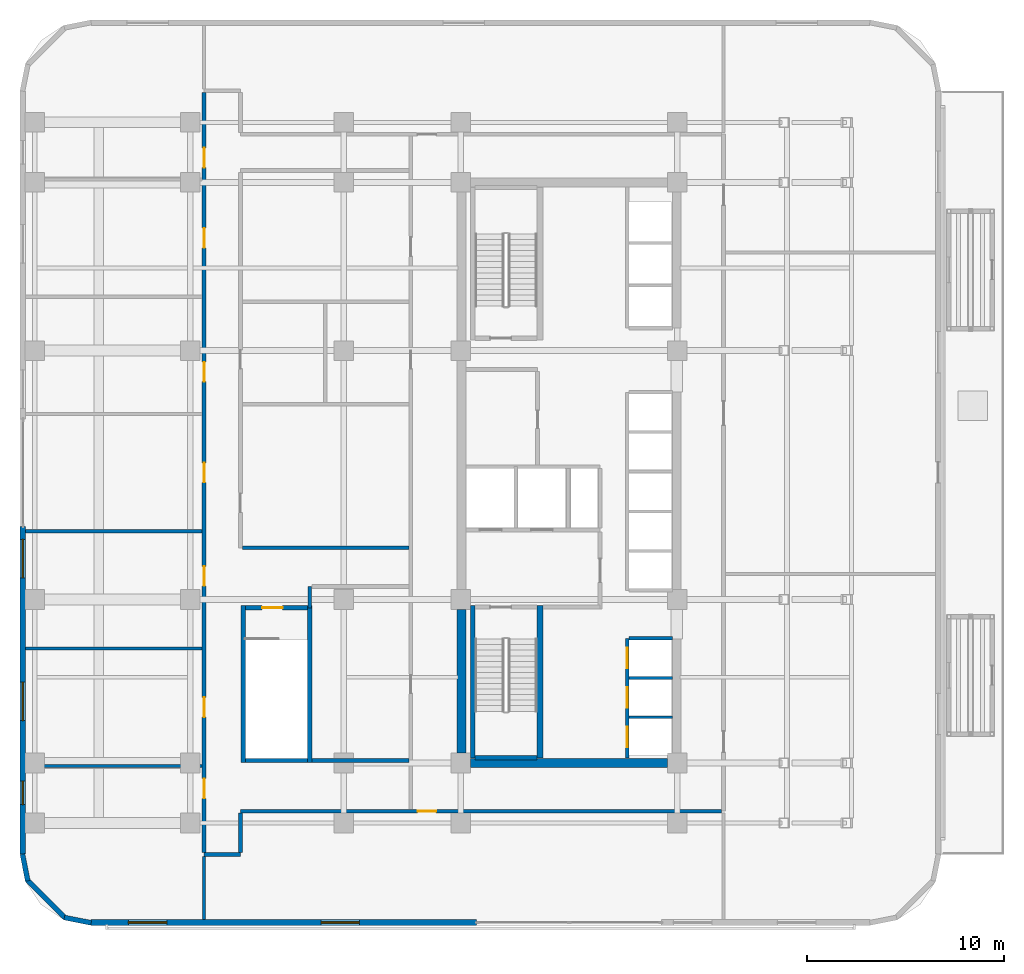
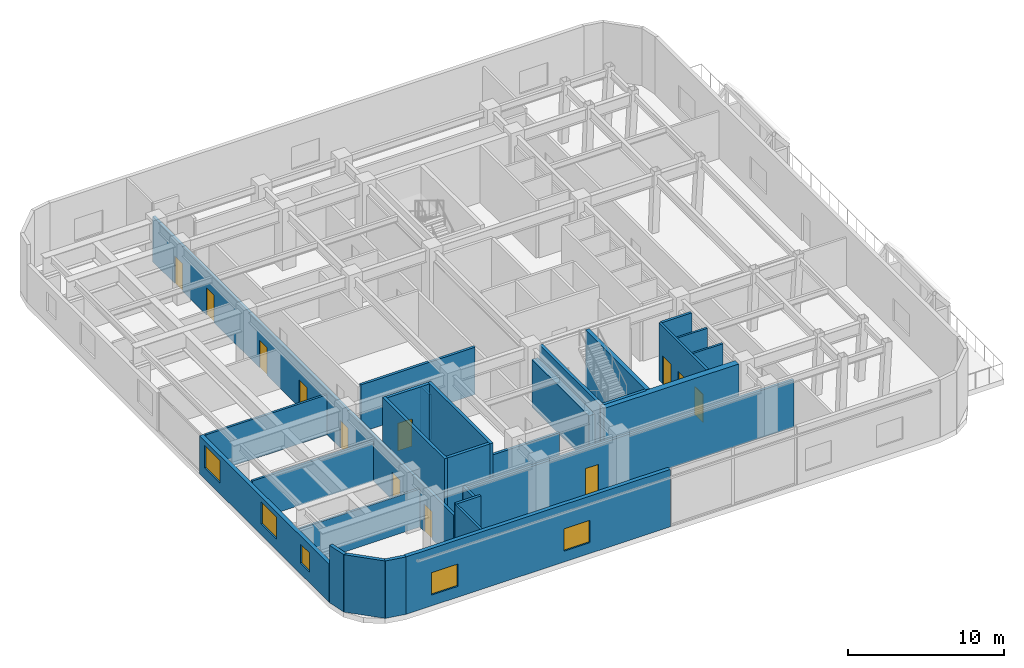
# One storey, part 10 of 18: 29 walls, 12 doors, 5 windows, 17 openings.
"""IFC4 building model written with IfcOpenShell, lengths in metres."""

from ifc_helpers import new_model, si_unit, direction, frame, frame_2d, origin, place, context, subcontext, project, spatial, rectangle, extrude, material, layer, layer_set, type_object, element, fill, save


model = new_model("IFC4")

# Units and contexts
model_context = context("Model", 3, precision=1e-05, world=origin(), true_north=direction((0.0, 1.0)))
body_context = subcontext(model_context, "Body", "Model", "MODEL_VIEW")
ifc_project = project(units=[si_unit("LENGTHUNIT", "METRE"), si_unit("AREAUNIT", "SQUARE_METRE"), si_unit("VOLUMEUNIT", "CUBIC_METRE"), si_unit("PLANEANGLEUNIT", "RADIAN"), si_unit("MASSUNIT", "GRAM", prefix="KILO")], contexts=[model_context])

# Site, building, storey
site_placement = place(None, origin())
site = spatial("IfcSite", under=ifc_project, at=site_placement, CompositionType="ELEMENT")
building_placement = place(site_placement, origin())
building = spatial("IfcBuilding", under=site, at=building_placement, Name="Ochreholt Gables", CompositionType="ELEMENT")
storey_placement = place(building_placement, frame((0.0, 0.0, 19.199951171875)))
storey = spatial("IfcBuildingStorey", under=building, at=storey_placement, Name="L04", CompositionType="ELEMENT", Elevation=19.199951171875)

# Walls
ifc_material_1 = material(Name="Concrete 60 MPa", Category="concrete")
ifc_layer_1 = layer(ifc_material_1, 0.449951171875, Name="Concrete 60 MPa")
ifc_layer_set_1 = layer_set([ifc_layer_1], Name="Concrete 60 MPa")
wall_type_1 = type_object("IfcWallType", Name="WALL-CSW-450", PredefinedType="SHEAR", material=ifc_layer_set_1)
wall_1_placement = place(storey_placement, frame((24.22509765625, 9.75, 0.0), z_axis=(0.0, 0.0, 1.0), x_axis=(0.0, 1.0, 0.0)))
element("IfcWall", 1, at=wall_1_placement, inside=storey, type_object=wall_type_1, Name="L04 Core West Shear Wall WS", PredefinedType="SHEAR", context=body_context, shape_type="SweptSolid", body=[
    extrude(rectangle(XDim=7.300048828125, YDim=0.449951171875, at=frame_2d((3.64990234375, 0.0))), origin(), (0.0, 0.0, 1.0), 3.72998046875),
])
wall_2_placement = place(storey_placement, frame((24.699951171875, 9.25, 0.0), z_axis=(0.0, 0.0, 1.0), x_axis=(1.0, 0.0, 0.0)))
element("IfcWall", 2, at=wall_2_placement, inside=storey, type_object=wall_type_1, Name="L04 Core South Shear Wall", PredefinedType="SHEAR", context=body_context, shape_type="SweptSolid", body=[
    extrude(rectangle(XDim=10.0, YDim=0.449951171875, at=frame_2d((5.0, 0.0))), origin(), (0.0, 0.0, 1.0), 4.5),
])

# Wall, openings, windows
ifc_material_2 = material(Name="Precast concrete 40 MPa", Category="concrete")
ifc_layer_2 = layer(ifc_material_2, 0.2900390625, Name="Precast concrete 40 MPa")
ifc_layer_set_2 = layer_set([ifc_layer_2], Name="Precast concrete 40 MPa")
wall_type_2 = type_object("IfcWallType", Name="WALL-EXT-290", PredefinedType="SOLIDWALL", material=ifc_layer_set_2)
wall_3_placement = place(storey_placement, frame((5.419921875, 1.14501953125, 0.0), z_axis=(0.0, 0.0, 1.0), x_axis=(1.0, 0.0, 0.0)))
wall_3 = element("IfcWall", 3, at=wall_3_placement, inside=storey, type_object=wall_type_2, Name="L04 South Facade Wall 1", PredefinedType="SOLIDWALL", context=body_context, shape_type="SweptSolid", body=[
    extrude(rectangle(XDim=19.580078125, YDim=0.2900390625, at=frame_2d((9.7900390625, 0.0))), origin(), (0.0, 0.0, 1.0), 4.5),
])
opening_1_placement = place(wall_3_placement, frame((1.889892578125, 0.0, 0.85009765625)))
opening_1 = element("IfcOpeningElement", 4, at=opening_1_placement, cuts=wall_3, Name="Opening WN-9", PredefinedType="OPENING", context=body_context, shape_type="SweptSolid", body=[
    extrude(rectangle(XDim=1.949951171875, YDim=1.75, at=frame_2d((0.97509765625, 0.875))), frame((0.0, 0.155029296875, 0.0), z_axis=(0.0, -1.0, 0.0), x_axis=(1.0, 0.0, 0.0)), (0.0, 0.0, 1.0), 0.31005859375),
])
opening_2_placement = place(wall_3_placement, frame((11.679931640625, 0.0, 0.85009765625)))
opening_2 = element("IfcOpeningElement", 5, at=opening_2_placement, cuts=wall_3, Name="Opening WN-9", PredefinedType="OPENING", context=body_context, shape_type="SweptSolid", body=[
    extrude(rectangle(XDim=1.949951171875, YDim=1.75, at=frame_2d((0.97509765625, 0.875))), frame((0.0, 0.155029296875, 0.0), z_axis=(0.0, -1.0, 0.0), x_axis=(1.0, 0.0, 0.0)), (0.0, 0.0, 1.0), 0.31005859375),
])
ifc_material_3 = material(Name="Triple-Glazed Thermally Broken Aluminium Window", Category="aluminium")
window_type_1 = type_object("IfcWindowType", Name="WIN-CLN-1950", PartitioningType="SINGLE_PANEL", PredefinedType="WINDOW", material=ifc_material_3)
window_1_placement = place(opening_1_placement, origin())
window_1 = element("IfcWindow", 6, at=window_1_placement, inside=storey, type_object=window_type_1, Name="L04 Window W-EXT-S1-L04-1", OverallHeight=1.75, OverallWidth=1.949951171875, PartitioningType="SINGLE_PANEL", PredefinedType="WINDOW", context=body_context, shape_type="SweptSolid", body=[
    extrude(rectangle(XDim=1.949951171875, YDim=1.75, at=frame_2d((0.97509765625, 0.875))), frame((0.0, 0.030029296875, 0.0), z_axis=(0.0, -1.0, 0.0), x_axis=(1.0, 0.0, 0.0)), (0.0, 0.0, 1.0), 0.06005859375),
])
fill(opening_1, window_1)
window_2_placement = place(opening_2_placement, origin())
window_2 = element("IfcWindow", 7, at=window_2_placement, inside=storey, type_object=window_type_1, Name="L04 Window W-EXT-S1-L04-2", OverallHeight=1.75, OverallWidth=1.949951171875, PartitioningType="SINGLE_PANEL", PredefinedType="WINDOW", context=body_context, shape_type="SweptSolid", body=[
    extrude(rectangle(XDim=1.949951171875, YDim=1.75, at=frame_2d((0.97509765625, 0.875))), frame((0.0, 0.030029296875, 0.0), z_axis=(0.0, -1.0, 0.0), x_axis=(1.0, 0.0, 0.0)), (0.0, 0.0, 1.0), 0.06005859375),
])
fill(opening_2, window_2)

wall_4_placement = place(storey_placement, frame((1.945068359375, 21.27001953125, 0.0), z_axis=(0.0, 0.0, 1.0), x_axis=(0.0, -1.0, 0.0)))
wall_4 = element("IfcWall", 8, at=wall_4_placement, inside=storey, type_object=wall_type_2, Name="L04 West Facade Wall 2", PredefinedType="SOLIDWALL", context=body_context, shape_type="SweptSolid", body=[
    extrude(rectangle(XDim=16.64990234375, YDim=0.2900390625, at=frame_2d((8.324951171875, 0.0))), origin(), (0.0, 0.0, 1.0), 2.98193359375),
])
opening_3_placement = place(wall_4_placement, frame((12.945068359375, 0.0, 0.85009765625)))
opening_3 = element("IfcOpeningElement", 9, at=opening_3_placement, cuts=wall_4, Name="Opening WN-3", PredefinedType="OPENING", context=body_context, shape_type="SweptSolid", body=[
    extrude(rectangle(XDim=1.199951171875, YDim=1.5, at=frame_2d((0.60009765625, 0.75))), frame((0.0, 0.155029296875, 0.0), z_axis=(0.0, -1.0, 0.0), x_axis=(1.0, 0.0, 0.0)), (0.0, 0.0, 1.0), 0.31005859375),
])
opening_4_placement = place(wall_4_placement, frame((7.919921875, 0.0, 0.85009765625)))
opening_4 = element("IfcOpeningElement", 10, at=opening_4_placement, cuts=wall_4, Name="Opening WN-9", PredefinedType="OPENING", context=body_context, shape_type="SweptSolid", body=[
    extrude(rectangle(XDim=1.949951171875, YDim=1.75, at=frame_2d((0.97509765625, 0.875))), frame((0.0, 0.155029296875, 0.0), z_axis=(0.0, -1.0, 0.0), x_axis=(1.0, 0.0, 0.0)), (0.0, 0.0, 1.0), 0.31005859375),
])
opening_5_placement = place(wall_4_placement, frame((0.6650390625, 0.0, 0.85009765625)))
opening_5 = element("IfcOpeningElement", 11, at=opening_5_placement, cuts=wall_4, Name="Opening WN-9", PredefinedType="OPENING", context=body_context, shape_type="SweptSolid", body=[
    extrude(rectangle(XDim=1.949951171875, YDim=1.75, at=frame_2d((0.97509765625, 0.875))), frame((0.0, 0.155029296875, 0.0), z_axis=(0.0, -1.0, 0.0), x_axis=(1.0, 0.0, 0.0)), (0.0, 0.0, 1.0), 0.31005859375),
])
window_3_placement = place(opening_4_placement, origin())
window_3 = element("IfcWindow", 12, at=window_3_placement, inside=storey, type_object=window_type_1, Name="L04 Window W-EXT-W2-L04-2", OverallHeight=1.75, OverallWidth=1.949951171875, PartitioningType="SINGLE_PANEL", PredefinedType="WINDOW", context=body_context, shape_type="SweptSolid", body=[
    extrude(rectangle(XDim=1.949951171875, YDim=1.75, at=frame_2d((0.97509765625, 0.875))), frame((0.0, 0.030029296875, 0.0), z_axis=(0.0, -1.0, 0.0), x_axis=(1.0, 0.0, 0.0)), (0.0, 0.0, 1.0), 0.06005859375),
])
fill(opening_4, window_3)
window_4_placement = place(opening_5_placement, origin())
window_4 = element("IfcWindow", 13, at=window_4_placement, inside=storey, type_object=window_type_1, Name="L04 Window W-EXT-W2-L04-3", OverallHeight=1.75, OverallWidth=1.949951171875, PartitioningType="SINGLE_PANEL", PredefinedType="WINDOW", context=body_context, shape_type="SweptSolid", body=[
    extrude(rectangle(XDim=1.949951171875, YDim=1.75, at=frame_2d((0.97509765625, 0.875))), frame((0.0, 0.030029296875, 0.0), z_axis=(0.0, -1.0, 0.0), x_axis=(1.0, 0.0, 0.0)), (0.0, 0.0, 1.0), 0.06005859375),
])
fill(opening_5, window_4)
window_type_2 = type_object("IfcWindowType", Name="WIN-RES-1200", PartitioningType="SINGLE_PANEL", PredefinedType="WINDOW", material=ifc_material_3)
window_5_placement = place(opening_3_placement, origin())
window_5 = element("IfcWindow", 14, at=window_5_placement, inside=storey, type_object=window_type_2, Name="L04 Window W-EXT-W2-L04-1", OverallHeight=1.5, OverallWidth=1.199951171875, PartitioningType="SINGLE_PANEL", PredefinedType="WINDOW", context=body_context, shape_type="SweptSolid", body=[
    extrude(rectangle(XDim=1.199951171875, YDim=1.5, at=frame_2d((0.60009765625, 0.75))), frame((0.0, 0.030029296875, 0.0), z_axis=(0.0, -1.0, 0.0), x_axis=(1.0, 0.0, 0.0)), (0.0, 0.0, 1.0), 0.06005859375),
])
fill(opening_3, window_5)

# Walls
ifc_layer_3 = layer(ifc_material_2, 0.25, Name="Precast concrete 40 MPa")
ifc_layer_set_3 = layer_set([ifc_layer_3], Name="Precast concrete 40 MPa")
wall_type_3 = type_object("IfcWallType", Name="WALL-EXT-CNR", PredefinedType="SOLIDWALL", material=ifc_layer_set_3)
wall_5_placement = place(storey_placement, frame((1.92431640625, 4.616455078125, 0.0), z_axis=(0.0, 0.0, 1.0), x_axis=(0.19496651342, -0.980809899341, 0.0)))
element("IfcWall", 15, at=wall_5_placement, inside=storey, type_object=wall_type_3, Name="L04 Rounded Corner Wall SW-1", PredefinedType="SOLIDWALL", context=body_context, shape_type="SweptSolid", body=[
    extrude(rectangle(XDim=1.388671875, YDim=0.25, at=frame_2d((0.6943359375, 0.0))), origin(), (0.0, 0.0, 1.0), 4.5),
])
wall_6_placement = place(storey_placement, frame((2.16796875, 3.304931640625, 0.0), z_axis=(0.0, 0.0, 1.0), x_axis=(0.707106781187, -0.707106781187, 0.0)))
element("IfcWall", 16, at=wall_6_placement, inside=storey, type_object=wall_type_3, Name="L04 Rounded Corner Wall SW-2", PredefinedType="SOLIDWALL", context=body_context, shape_type="SweptSolid", body=[
    extrude(rectangle(XDim=2.7392578125, YDim=0.25, at=frame_2d((1.36962890625, 0.0))), origin(), (0.0, 0.0, 1.0), 4.5),
])
wall_7_placement = place(storey_placement, frame((4.054443359375, 1.39501953125, 0.0), z_axis=(0.0, 0.0, 1.0), x_axis=(0.980809899341, -0.19496651342, 0.0)))
element("IfcWall", 17, at=wall_7_placement, inside=storey, type_object=wall_type_3, Name="L04 Rounded Corner Wall SW-3", PredefinedType="SOLIDWALL", context=body_context, shape_type="SweptSolid", body=[
    extrude(rectangle(XDim=1.388671875, YDim=0.25, at=frame_2d((0.6943359375, 0.0))), origin(), (0.0, 0.0, 1.0), 4.5),
])

# Wall, opening, door
ifc_material_4 = material(Name="Fire-Rated Gypsum Acoustic Partition", Category="gypsum")
ifc_layer_4 = layer(ifc_material_4, 0.18994140625, Name="Fire-Rated Gypsum Acoustic Partition")
ifc_layer_set_4 = layer_set([ifc_layer_4], Name="Fire-Rated Gypsum Acoustic Partition")
wall_type_4 = type_object("IfcWallType", Name="WALL-INT-CR190", PredefinedType="STANDARD", material=ifc_layer_set_4)
wall_8_placement = place(storey_placement, frame((13.0, 6.800048828125, 0.0), z_axis=(0.0, 0.0, 1.0), x_axis=(1.0, 0.0, 0.0)))
wall_8 = element("IfcWall", 18, at=wall_8_placement, inside=storey, type_object=wall_type_4, Name="L04 Interior Wall WI-CLCS-L04", PredefinedType="STANDARD", context=body_context, shape_type="SweptSolid", body=[
    extrude(rectangle(XDim=24.455078125, YDim=0.18994140625, at=frame_2d((12.2275390625, 0.0))), origin(), (0.0, 0.0, 1.0), 3.712158203125),
])
opening_6_placement = place(wall_8_placement, frame((9.0, 0.0, 0.0)))
opening_6 = element("IfcOpeningElement", 19, at=opening_6_placement, cuts=wall_8, Name="Opening D-GN1", PredefinedType="OPENING", context=body_context, shape_type="SweptSolid", body=[
    extrude(rectangle(XDim=0.949951171875, YDim=2.14990234375, at=frame_2d((0.47509765625, 1.074951171875))), frame((0.0, 0.10498046875, 0.0), z_axis=(0.0, -1.0, 0.0), x_axis=(1.0, 0.0, 0.0)), (0.0, 0.0, 1.0), 0.2099609375),
])
ifc_material_5 = material(Name="Engineered Oak Timber", Category="wood")
door_type_1 = type_object("IfcDoorType", Name="DR-INT-GEN950", OperationType="NOTDEFINED", PredefinedType="DOOR", material=ifc_material_5)
door_1_placement = place(opening_6_placement, origin())
door_1 = element("IfcDoor", 20, at=door_1_placement, inside=storey, type_object=door_type_1, Name="L04 Door D-CLCS-L04", OperationType="SINGLE_SWING_LEFT", OverallHeight=2.14990234375, OverallWidth=0.949951171875, PredefinedType="DOOR", context=body_context, shape_type="SweptSolid", body=[
    extrude(rectangle(XDim=0.949951171875, YDim=2.14990234375, at=frame_2d((0.47509765625, 1.074951171875))), frame((0.0, 0.02490234375, 0.0), z_axis=(0.0, -1.0, 0.0), x_axis=(1.0, 0.0, 0.0)), (0.0, 0.0, 1.0), 0.050048828125),
])
fill(opening_6, door_1)

# Walls
wall_9_placement = place(storey_placement, frame((11.14990234375, 4.60009765625, 0.0), z_axis=(0.0, 0.0, 1.0), x_axis=(1.0, 0.0, 0.0)))
element("IfcWall", 21, at=wall_9_placement, inside=storey, type_object=wall_type_4, Name="L04 Interior Wall WI-CLCS0-L04", PredefinedType="STANDARD", context=body_context, shape_type="SweptSolid", body=[
    extrude(rectangle(XDim=1.85009765625, YDim=0.18994140625, at=frame_2d((0.925048828125, 0.0))), origin(), (0.0, 0.0, 1.0), 4.5),
])
wall_10_placement = place(storey_placement, frame((13.0, 4.695068359375, 0.0), z_axis=(0.0, 0.0, 1.0), x_axis=(0.0, 1.0, 0.0)))
element("IfcWall", 22, at=wall_10_placement, inside=storey, type_object=wall_type_4, Name="L04 Interior Wall WI-CLCS1-L04", PredefinedType="STANDARD", context=body_context, shape_type="SweptSolid", body=[
    extrude(rectangle(XDim=2.010009765625, YDim=0.18994140625, at=frame_2d((1.0048828125, 0.0))), origin(), (0.0, 0.0, 1.0), 3.948974609375),
])
wall_11_placement = place(storey_placement, frame((16.6298828125, 9.3701171875, 0.0), z_axis=(0.0, 0.0, 1.0), x_axis=(1.0, 0.0, 0.0)))
element("IfcWall", 23, at=wall_11_placement, inside=storey, type_object=wall_type_4, Name="L04 Interior Wall WI-CLCS2-L04", PredefinedType="STANDARD", context=body_context, shape_type="SweptSolid", body=[
    extrude(rectangle(XDim=4.925048828125, YDim=0.18994140625, at=frame_2d((2.46240234375, 0.0))), origin(), (0.0, 0.0, 1.0), 3.554931640625),
])

# Wall, openings, doors
wall_12_placement = place(storey_placement, frame((11.14990234375, 4.695068359375, 0.0), z_axis=(0.0, 0.0, 1.0), x_axis=(0.0, 1.0, 0.0)))
wall_12 = element("IfcWall", 24, at=wall_12_placement, inside=storey, type_object=wall_type_4, Name="L04 Interior Wall WI-CLCWW-L04", PredefinedType="STANDARD", context=body_context, shape_type="SweptSolid", body=[
    extrude(rectangle(XDim=38.60986328125, YDim=0.18994140625, at=frame_2d((19.304931640625, 0.0))), origin(), (0.0, 0.0, 1.0), 3.554931640625),
])
opening_7_placement = place(wall_12_placement, frame((2.7548828125, 0.0, 0.0)))
opening_7 = element("IfcOpeningElement", 25, at=opening_7_placement, cuts=wall_12, Name="Opening D-CL3", PredefinedType="OPENING", context=body_context, shape_type="SweptSolid", body=[
    extrude(rectangle(XDim=1.0, YDim=2.14990234375, at=frame_2d((0.5, 1.074951171875))), frame((0.0, 0.10498046875, 0.0), z_axis=(0.0, -1.0, 0.0), x_axis=(1.0, 0.0, 0.0)), (0.0, 0.0, 1.0), 0.2099609375),
])
opening_8_placement = place(wall_12_placement, frame((6.885009765625, 0.0, 0.0)))
opening_8 = element("IfcOpeningElement", 26, at=opening_8_placement, cuts=wall_12, Name="Opening D-CL3", PredefinedType="OPENING", context=body_context, shape_type="SweptSolid", body=[
    extrude(rectangle(XDim=1.0, YDim=2.14990234375, at=frame_2d((0.5, 1.074951171875))), frame((0.0, 0.10498046875, 0.0), z_axis=(0.0, -1.0, 0.0), x_axis=(1.0, 0.0, 0.0)), (0.0, 0.0, 1.0), 0.2099609375),
])
opening_9_placement = place(wall_12_placement, frame((13.544921875, 0.0, 0.0)))
opening_9 = element("IfcOpeningElement", 27, at=opening_9_placement, cuts=wall_12, Name="Opening D-CL3", PredefinedType="OPENING", context=body_context, shape_type="SweptSolid", body=[
    extrude(rectangle(XDim=1.0, YDim=2.14990234375, at=frame_2d((0.5, 1.074951171875))), frame((0.0, 0.10498046875, 0.0), z_axis=(0.0, -1.0, 0.0), x_axis=(1.0, 0.0, 0.0)), (0.0, 0.0, 1.0), 0.2099609375),
])
opening_10_placement = place(wall_12_placement, frame((18.804931640625, 0.0, 0.0)))
opening_10 = element("IfcOpeningElement", 28, at=opening_10_placement, cuts=wall_12, Name="Opening D-CL3", PredefinedType="OPENING", context=body_context, shape_type="SweptSolid", body=[
    extrude(rectangle(XDim=1.0, YDim=2.14990234375, at=frame_2d((0.5, 1.074951171875))), frame((0.0, 0.10498046875, 0.0), z_axis=(0.0, -1.0, 0.0), x_axis=(1.0, 0.0, 0.0)), (0.0, 0.0, 1.0), 0.2099609375),
])
opening_11_placement = place(wall_12_placement, frame((23.925048828125, 0.0, 0.0)))
opening_11 = element("IfcOpeningElement", 29, at=opening_11_placement, cuts=wall_12, Name="Opening D-CL3", PredefinedType="OPENING", context=body_context, shape_type="SweptSolid", body=[
    extrude(rectangle(XDim=1.0, YDim=2.14990234375, at=frame_2d((0.5, 1.074951171875))), frame((0.0, 0.10498046875, 0.0), z_axis=(0.0, -1.0, 0.0), x_axis=(1.0, 0.0, 0.0)), (0.0, 0.0, 1.0), 0.2099609375),
])
opening_12_placement = place(wall_12_placement, frame((30.72509765625, 0.0, 0.0)))
opening_12 = element("IfcOpeningElement", 30, at=opening_12_placement, cuts=wall_12, Name="Opening D-CL3", PredefinedType="OPENING", context=body_context, shape_type="SweptSolid", body=[
    extrude(rectangle(XDim=1.0, YDim=2.14990234375, at=frame_2d((0.5, 1.074951171875))), frame((0.0, 0.10498046875, 0.0), z_axis=(0.0, -1.0, 0.0), x_axis=(1.0, 0.0, 0.0)), (0.0, 0.0, 1.0), 0.2099609375),
])
opening_13_placement = place(wall_12_placement, frame((34.804931640625, 0.0, 0.0)))
opening_13 = element("IfcOpeningElement", 31, at=opening_13_placement, cuts=wall_12, Name="Opening D-CL3", PredefinedType="OPENING", context=body_context, shape_type="SweptSolid", body=[
    extrude(rectangle(XDim=1.0, YDim=2.14990234375, at=frame_2d((0.5, 1.074951171875))), frame((0.0, 0.10498046875, 0.0), z_axis=(0.0, -1.0, 0.0), x_axis=(1.0, 0.0, 0.0)), (0.0, 0.0, 1.0), 0.2099609375),
])
door_type_2 = type_object("IfcDoorType", Name="DR-INT-CLN1000", OperationType="NOTDEFINED", PredefinedType="DOOR", material=ifc_material_5)
door_2_placement = place(opening_7_placement, origin())
door_2 = element("IfcDoor", 32, at=door_2_placement, inside=storey, type_object=door_type_2, Name="L04 Door D-CLW1-L04", OperationType="SINGLE_SWING_LEFT", OverallHeight=2.14990234375, OverallWidth=1.0, PredefinedType="DOOR", context=body_context, shape_type="SweptSolid", body=[
    extrude(rectangle(XDim=1.0, YDim=2.14990234375, at=frame_2d((0.5, 1.074951171875))), frame((0.0, 0.02490234375, 0.0), z_axis=(0.0, -1.0, 0.0), x_axis=(1.0, 0.0, 0.0)), (0.0, 0.0, 1.0), 0.050048828125),
])
fill(opening_7, door_2)
door_3_placement = place(opening_8_placement, origin())
door_3 = element("IfcDoor", 33, at=door_3_placement, inside=storey, type_object=door_type_2, Name="L04 Door D-CLW2-L04", OperationType="SINGLE_SWING_RIGHT", OverallHeight=2.14990234375, OverallWidth=1.0, PredefinedType="DOOR", context=body_context, shape_type="SweptSolid", body=[
    extrude(rectangle(XDim=1.0, YDim=2.14990234375, at=frame_2d((0.5, 1.074951171875))), frame((0.0, 0.02490234375, 0.0), z_axis=(0.0, -1.0, 0.0), x_axis=(1.0, 0.0, 0.0)), (0.0, 0.0, 1.0), 0.050048828125),
])
fill(opening_8, door_3)
door_4_placement = place(opening_9_placement, origin())
door_4 = element("IfcDoor", 34, at=door_4_placement, inside=storey, type_object=door_type_2, Name="L04 Door D-CLW3-L04", OperationType="SINGLE_SWING_LEFT", OverallHeight=2.14990234375, OverallWidth=1.0, PredefinedType="DOOR", context=body_context, shape_type="SweptSolid", body=[
    extrude(rectangle(XDim=1.0, YDim=2.14990234375, at=frame_2d((0.5, 1.074951171875))), frame((0.0, 0.02490234375, 0.0), z_axis=(0.0, -1.0, 0.0), x_axis=(1.0, 0.0, 0.0)), (0.0, 0.0, 1.0), 0.050048828125),
])
fill(opening_9, door_4)
door_5_placement = place(opening_10_placement, origin())
door_5 = element("IfcDoor", 35, at=door_5_placement, inside=storey, type_object=door_type_2, Name="L04 Door D-CLW4-L04", OperationType="SINGLE_SWING_RIGHT", OverallHeight=2.14990234375, OverallWidth=1.0, PredefinedType="DOOR", context=body_context, shape_type="SweptSolid", body=[
    extrude(rectangle(XDim=1.0, YDim=2.14990234375, at=frame_2d((0.5, 1.074951171875))), frame((0.0, 0.02490234375, 0.0), z_axis=(0.0, -1.0, 0.0), x_axis=(1.0, 0.0, 0.0)), (0.0, 0.0, 1.0), 0.050048828125),
])
fill(opening_10, door_5)
door_6_placement = place(opening_11_placement, origin())
door_6 = element("IfcDoor", 36, at=door_6_placement, inside=storey, type_object=door_type_2, Name="L04 Door D-CLW5-L04", OperationType="SINGLE_SWING_LEFT", OverallHeight=2.14990234375, OverallWidth=1.0, PredefinedType="DOOR", context=body_context, shape_type="SweptSolid", body=[
    extrude(rectangle(XDim=1.0, YDim=2.14990234375, at=frame_2d((0.5, 1.074951171875))), frame((0.0, 0.02490234375, 0.0), z_axis=(0.0, -1.0, 0.0), x_axis=(1.0, 0.0, 0.0)), (0.0, 0.0, 1.0), 0.050048828125),
])
fill(opening_11, door_6)
door_7_placement = place(opening_12_placement, origin())
door_7 = element("IfcDoor", 37, at=door_7_placement, inside=storey, type_object=door_type_2, Name="L04 Door D-CLW6-L04", OperationType="SINGLE_SWING_RIGHT", OverallHeight=2.14990234375, OverallWidth=1.0, PredefinedType="DOOR", context=body_context, shape_type="SweptSolid", body=[
    extrude(rectangle(XDim=1.0, YDim=2.14990234375, at=frame_2d((0.5, 1.074951171875))), frame((0.0, 0.02490234375, 0.0), z_axis=(0.0, -1.0, 0.0), x_axis=(1.0, 0.0, 0.0)), (0.0, 0.0, 1.0), 0.050048828125),
])
fill(opening_12, door_7)
door_8_placement = place(opening_13_placement, origin())
door_8 = element("IfcDoor", 38, at=door_8_placement, inside=storey, type_object=door_type_2, Name="L04 Door D-CLW7-L04", OperationType="SINGLE_SWING_LEFT", OverallHeight=2.14990234375, OverallWidth=1.0, PredefinedType="DOOR", context=body_context, shape_type="SweptSolid", body=[
    extrude(rectangle(XDim=1.0, YDim=2.14990234375, at=frame_2d((0.5, 1.074951171875))), frame((0.0, 0.02490234375, 0.0), z_axis=(0.0, -1.0, 0.0), x_axis=(1.0, 0.0, 0.0)), (0.0, 0.0, 1.0), 0.050048828125),
])
fill(opening_13, door_8)

# Walls
wall_13_placement = place(storey_placement, frame((16.52001953125, 17.1298828125, 0.0), z_axis=(0.0, 0.0, 1.0), x_axis=(0.0, 1.0, 0.0)))
element("IfcWall", 39, at=wall_13_placement, inside=storey, type_object=wall_type_4, Name="L04 Interior Wall WI-CLSTPE-L04", PredefinedType="STANDARD", context=body_context, shape_type="SweptSolid", body=[
    extrude(rectangle(XDim=1.090087890625, YDim=0.18994140625, at=frame_2d((0.544921875, 0.0))), origin(), (0.0, 0.0, 1.0), 3.554931640625),
])
wall_14_placement = place(storey_placement, frame((13.094970703125, 20.179931640625, 0.0), z_axis=(0.0, 0.0, 1.0), x_axis=(1.0, 0.0, 0.0)))
element("IfcWall", 40, at=wall_14_placement, inside=storey, type_object=wall_type_4, Name="L04 Interior Wall WI-CLSTP2-L04", PredefinedType="STANDARD", context=body_context, shape_type="SweptSolid", body=[
    extrude(rectangle(XDim=8.4599609375, YDim=0.18994140625, at=frame_2d((4.22998046875, 0.0))), origin(), (0.0, 0.0, 1.0), 3.712158203125),
])
ifc_material_6 = material(Name="Gypsum Acoustic Stud Partition", Category="gypsum")
ifc_layer_5 = layer(ifc_material_6, 0.159912109375, Name="Gypsum Acoustic Stud Partition")
ifc_layer_set_5 = layer_set([ifc_layer_5], Name="Gypsum Acoustic Stud Partition")
wall_type_5 = type_object("IfcWallType", Name="WALL-INT-PT160", PredefinedType="PARTITIONING", material=ifc_layer_set_5)
wall_15_placement = place(storey_placement, frame((11.14990234375, 1.2900390625, 0.0), z_axis=(0.0, 0.0, 1.0), x_axis=(0.0, 1.0, 0.0)))
element("IfcWall", 41, at=wall_15_placement, inside=storey, type_object=wall_type_5, Name="L04 Interior Wall WI-CLWWS-L04", PredefinedType="PARTITIONING", context=body_context, shape_type="SweptSolid", body=[
    extrude(rectangle(XDim=3.21484375, YDim=0.159912109375, at=frame_2d((1.607421875, 0.0))), origin(), (0.0, 0.0, 1.0), 4.5),
])
wall_16_placement = place(storey_placement, frame((2.090087890625, 9.10009765625, 0.0), z_axis=(0.0, 0.0, 1.0), x_axis=(1.0, 0.0, 0.0)))
element("IfcWall", 42, at=wall_16_placement, inside=storey, type_object=wall_type_5, Name="L04 Interior Wall WI-CLW1-L04", PredefinedType="PARTITIONING", context=body_context, shape_type="SweptSolid", body=[
    extrude(rectangle(XDim=8.96484375, YDim=0.159912109375, at=frame_2d((4.482421875, 0.0))), origin(), (0.0, 0.0, 1.0), 2.98193359375),
])
for number, where, z_axis, x_axis, name in (
    (43, (2.090087890625, 15.06005859375, 0.0), (0.0, 0.0, 1.0), (1.0, 0.0, 0.0), "L04 Interior Wall WI-CLW2-L04"),
    (44, (2.090087890625, 21.02001953125, 0.0), (0.0, 0.0, 1.0), (1.0, 0.0, 0.0), "L04 Interior Wall WI-CLW3-L04"),
):
    element("IfcWall", number, at=place(storey_placement, frame(where, z_axis=z_axis, x_axis=x_axis)), inside=storey, type_object=wall_type_5, Name=name, PredefinedType="PARTITIONING", context=body_context, shape_type="SweptSolid", body=[
        extrude(rectangle(XDim=8.96484375, YDim=0.159912109375, at=frame_2d((4.482421875, 0.0))), origin(), (0.0, 0.0, 1.0), 3.132080078125),
    ])
ifc_material_7 = material(Name="Gypsum Shaftliner and Steel Stud", Category="steel")
ifc_layer_6 = layer(ifc_material_7, 0.14990234375, Name="Gypsum Shaftliner and Steel Stud")
ifc_layer_set_6 = layer_set([ifc_layer_6], Name="Gypsum Shaftliner and Steel Stud")
wall_type_6 = type_object("IfcWallType", Name="WALL-INT-SH150", PredefinedType="STANDARD", material=ifc_layer_set_6)
for number, where, z_axis, x_axis, name in (
    (45, (32.739990234375, 11.570068359375, 0.0), (0.0, 0.0, 1.0), (1.0, 0.0, 0.0), "L04 Interior Wall WI-LFL-D1-L04"),
    (46, (32.739990234375, 13.570068359375, 0.0), (0.0, 0.0, 1.0), (1.0, 0.0, 0.0), "L04 Interior Wall WI-LFL-D2-L04"),
):
    element("IfcWall", number, at=place(storey_placement, frame(where, z_axis=z_axis, x_axis=x_axis)), inside=storey, type_object=wall_type_6, Name=name, PredefinedType="STANDARD", context=body_context, shape_type="SweptSolid", body=[
        extrude(rectangle(XDim=2.2099609375, YDim=0.14990234375, at=frame_2d((1.10498046875, 0.0))), origin(), (0.0, 0.0, 1.0), 4.5),
    ])

# Wall, openings, doors
ifc_layer_7 = layer(ifc_material_7, 0.179931640625, Name="Gypsum Shaftliner and Steel Stud")
ifc_layer_set_7 = layer_set([ifc_layer_7], Name="Gypsum Shaftliner and Steel Stud")
wall_type_7 = type_object("IfcWallType", Name="WALL-INT-SH180", PredefinedType="STANDARD", material=ifc_layer_set_7)
wall_17_placement = place(storey_placement, frame((32.64990234375, 9.5, 0.0), z_axis=(0.0, 0.0, 1.0), x_axis=(0.0, 1.0, 0.0)))
wall_17 = element("IfcWall", 47, at=wall_17_placement, inside=storey, type_object=wall_type_7, Name="L04 Interior Wall WI-LFL-FR-L04", PredefinedType="STANDARD", context=body_context, shape_type="SweptSolid", body=[
    extrude(rectangle(XDim=6.080078125, YDim=0.179931640625, at=frame_2d((3.0400390625, 0.0))), origin(), (0.0, 0.0, 1.0), 4.5),
])
opening_14_placement = place(wall_17_placement, frame((0.550048828125, 0.0, 0.0)))
opening_14 = element("IfcOpeningElement", 48, at=opening_14_placement, cuts=wall_17, Name="Opening LD-PX", PredefinedType="OPENING", context=body_context, shape_type="SweptSolid", body=[
    extrude(rectangle(XDim=1.050048828125, YDim=2.199951171875, at=frame_2d((0.52490234375, 1.10009765625))), frame((0.0, 0.099853515625, 0.0), z_axis=(0.0, -1.0, 0.0), x_axis=(1.0, 0.0, 0.0)), (0.0, 0.0, 1.0), 0.199951171875),
])
opening_15_placement = place(wall_17_placement, frame((2.550048828125, 0.0, 0.0)))
opening_15 = element("IfcOpeningElement", 49, at=opening_15_placement, cuts=wall_17, Name="Opening LD-PX", PredefinedType="OPENING", context=body_context, shape_type="SweptSolid", body=[
    extrude(rectangle(XDim=1.050048828125, YDim=2.199951171875, at=frame_2d((0.52490234375, 1.10009765625))), frame((0.0, 0.099853515625, 0.0), z_axis=(0.0, -1.0, 0.0), x_axis=(1.0, 0.0, 0.0)), (0.0, 0.0, 1.0), 0.199951171875),
])
opening_16_placement = place(wall_17_placement, frame((4.550048828125, 0.0, 0.0)))
opening_16 = element("IfcOpeningElement", 50, at=opening_16_placement, cuts=wall_17, Name="Opening LD-PX", PredefinedType="OPENING", context=body_context, shape_type="SweptSolid", body=[
    extrude(rectangle(XDim=1.050048828125, YDim=2.199951171875, at=frame_2d((0.52490234375, 1.10009765625))), frame((0.0, 0.099853515625, 0.0), z_axis=(0.0, -1.0, 0.0), x_axis=(1.0, 0.0, 0.0)), (0.0, 0.0, 1.0), 0.199951171875),
])
ifc_material_8 = material(Name="Stainless Steel", Category="steel")
door_type_3 = type_object("IfcDoorType", Name="DR-LFT-PX1050", OperationType="NOTDEFINED", PredefinedType="DOOR", material=ifc_material_8)
door_9_placement = place(opening_14_placement, origin())
door_9 = element("IfcDoor", 51, at=door_9_placement, inside=storey, type_object=door_type_3, Name="L04 Door LD-L1-L04", OperationType="SLIDING_TO_LEFT", OverallHeight=2.199951171875, OverallWidth=1.050048828125, PredefinedType="DOOR", context=body_context, shape_type="SweptSolid", body=[
    extrude(rectangle(XDim=1.050048828125, YDim=2.199951171875, at=frame_2d((0.52490234375, 1.10009765625))), frame((0.0, 0.02490234375, 0.0), z_axis=(0.0, -1.0, 0.0), x_axis=(1.0, 0.0, 0.0)), (0.0, 0.0, 1.0), 0.050048828125),
])
fill(opening_14, door_9)
door_10_placement = place(opening_15_placement, origin())
door_10 = element("IfcDoor", 52, at=door_10_placement, inside=storey, type_object=door_type_3, Name="L04 Door LD-L2-L04", OperationType="SLIDING_TO_LEFT", OverallHeight=2.199951171875, OverallWidth=1.050048828125, PredefinedType="DOOR", context=body_context, shape_type="SweptSolid", body=[
    extrude(rectangle(XDim=1.050048828125, YDim=2.199951171875, at=frame_2d((0.52490234375, 1.10009765625))), frame((0.0, 0.02490234375, 0.0), z_axis=(0.0, -1.0, 0.0), x_axis=(1.0, 0.0, 0.0)), (0.0, 0.0, 1.0), 0.050048828125),
])
fill(opening_15, door_10)
door_11_placement = place(opening_16_placement, origin())
door_11 = element("IfcDoor", 53, at=door_11_placement, inside=storey, type_object=door_type_3, Name="L04 Door LD-L3-L04", OperationType="SLIDING_TO_LEFT", OverallHeight=2.199951171875, OverallWidth=1.050048828125, PredefinedType="DOOR", context=body_context, shape_type="SweptSolid", body=[
    extrude(rectangle(XDim=1.050048828125, YDim=2.199951171875, at=frame_2d((0.52490234375, 1.10009765625))), frame((0.0, 0.02490234375, 0.0), z_axis=(0.0, -1.0, 0.0), x_axis=(1.0, 0.0, 0.0)), (0.0, 0.0, 1.0), 0.050048828125),
])
fill(opening_16, door_11)

# Walls
wall_18_placement = place(storey_placement, frame((32.739990234375, 15.580078125, 0.0), z_axis=(0.0, 0.0, 1.0), x_axis=(1.0, 0.0, 0.0)))
element("IfcWall", 54, at=wall_18_placement, inside=storey, type_object=wall_type_7, Name="L04 Interior Wall WI-LFL-N-L04", PredefinedType="STANDARD", context=body_context, shape_type="SweptSolid", body=[
    extrude(rectangle(XDim=2.2099609375, YDim=0.179931640625, at=frame_2d((1.10498046875, 0.0))), origin(), (0.0, 0.0, 1.0), 4.5),
])
ifc_layer_8 = layer(ifc_material_1, 0.300048828125, Name="Concrete 60 MPa")
ifc_layer_set_8 = layer_set([ifc_layer_8], Name="Concrete 60 MPa")
wall_type_8 = type_object("IfcWallType", Name="WALL-SPN-300", PredefinedType="SHEAR", material=ifc_layer_set_8)
wall_19_placement = place(storey_placement, frame((28.22998046875, 9.5, 0.0), z_axis=(0.0, 0.0, 1.0), x_axis=(0.0, 1.0, 0.0)))
element("IfcWall", 55, at=wall_19_placement, inside=storey, type_object=wall_type_8, Name="L04 Core South Spine Shear Wall", PredefinedType="SHEAR", context=body_context, shape_type="SweptSolid", body=[
    extrude(rectangle(XDim=7.760009765625, YDim=0.300048828125, at=frame_2d((3.8798828125, 0.0))), origin(), (0.0, 0.0, 1.0), 4.5),
])
ifc_material_9 = material(Name="Concrete 50 MPa", Category="concrete")
ifc_layer_9 = layer(ifc_material_9, 0.219970703125, Name="Concrete 50 MPa")
ifc_layer_set_9 = layer_set([ifc_layer_9], Name="Concrete 50 MPa")
wall_type_9 = type_object("IfcWallType", Name="WALL-STW-220", PredefinedType="SHEAR", material=ifc_layer_set_9)
wall_20_placement = place(storey_placement, frame((24.81005859375, 9.5, 0.0), z_axis=(0.0, 0.0, 1.0), x_axis=(0.0, 1.0, 0.0)))
element("IfcWall", 56, at=wall_20_placement, inside=storey, type_object=wall_type_9, Name="L04 Exit Stair 1 West Wall", PredefinedType="SHEAR", context=body_context, shape_type="SweptSolid", body=[
    extrude(rectangle(XDim=7.760009765625, YDim=0.219970703125, at=frame_2d((3.8798828125, 0.0))), origin(), (0.0, 0.0, 1.0), 4.5),
])
wall_21_placement = place(storey_placement, frame((24.919921875, 9.510009765625, 0.0), z_axis=(0.0, 0.0, 1.0), x_axis=(1.0, 0.0, 0.0)))
element("IfcWall", 57, at=wall_21_placement, inside=storey, type_object=wall_type_9, Name="L04 Exit Stair 1 South Wall", PredefinedType="SHEAR", context=body_context, shape_type="SweptSolid", body=[
    extrude(rectangle(XDim=3.16015625, YDim=0.219970703125, at=frame_2d((1.580078125, 0.0))), origin(), (0.0, 0.0, 1.0), 4.5),
])
for number, where, z_axis, x_axis, name in (
    (58, (13.139892578125, 9.260009765625, 0.0), (0.0, 0.0, 1.0), (0.0, 1.0, 0.0), "L04 Podium Stair West Wall"),
    (59, (16.52001953125, 9.260009765625, 0.0), (0.0, 0.0, 1.0), (0.0, 1.0, 0.0), "L04 Podium Stair East Wall"),
):
    element("IfcWall", number, at=place(storey_placement, frame(where, z_axis=z_axis, x_axis=x_axis)), inside=storey, type_object=wall_type_9, Name=name, PredefinedType="SHEAR", context=body_context, shape_type="SweptSolid", body=[
        extrude(rectangle(XDim=7.97998046875, YDim=0.219970703125, at=frame_2d((3.989990234375, 0.0))), origin(), (0.0, 0.0, 1.0), 4.5),
    ])
wall_22_placement = place(storey_placement, frame((13.25, 9.3701171875, 0.0), z_axis=(0.0, 0.0, 1.0), x_axis=(1.0, 0.0, 0.0)))
element("IfcWall", 60, at=wall_22_placement, inside=storey, type_object=wall_type_9, Name="L04 Podium Stair South Wall", PredefinedType="SHEAR", context=body_context, shape_type="SweptSolid", body=[
    extrude(rectangle(XDim=3.159912109375, YDim=0.219970703125, at=frame_2d((1.580078125, 0.0))), origin(), (0.0, 0.0, 1.0), 4.5),
])

# Wall, opening, door
wall_23_placement = place(storey_placement, frame((13.25, 17.1298828125, 0.0), z_axis=(0.0, 0.0, 1.0), x_axis=(1.0, 0.0, 0.0)))
wall_23 = element("IfcWall", 61, at=wall_23_placement, inside=storey, type_object=wall_type_9, Name="L04 Podium Stair North Wall", PredefinedType="SHEAR", context=body_context, shape_type="SweptSolid", body=[
    extrude(rectangle(XDim=3.159912109375, YDim=0.219970703125, at=frame_2d((1.580078125, 0.0))), origin(), (0.0, 0.0, 1.0), 4.5),
])
opening_17_placement = place(wall_23_placement, frame((0.85009765625, 0.0, 0.0)))
opening_17 = element("IfcOpeningElement", 62, at=opening_17_placement, cuts=wall_23, Name="Opening D-STC", PredefinedType="OPENING", context=body_context, shape_type="SweptSolid", body=[
    extrude(rectangle(XDim=1.050048828125, YDim=2.14990234375, at=frame_2d((0.52490234375, 1.074951171875))), frame((0.0, 0.119873046875, 0.0), z_axis=(0.0, -1.0, 0.0), x_axis=(1.0, 0.0, 0.0)), (0.0, 0.0, 1.0), 0.239990234375),
])
ifc_material_10 = material(Name="Hollow Metal Steel", Category="steel")
door_type_4 = type_object("IfcDoorType", Name="DR-INT-ST1050", OperationType="NOTDEFINED", PredefinedType="DOOR", material=ifc_material_10)
door_12_placement = place(opening_17_placement, frame((1.050048828125, 0.0, 0.0), z_axis=(0.0, 0.0, 1.0), x_axis=(-1.0, 0.0, 0.0)))
door_12 = element("IfcDoor", 63, at=door_12_placement, inside=storey, type_object=door_type_4, Name="L04 Door D-STP1-L04", OperationType="SINGLE_SWING_LEFT", OverallHeight=2.14990234375, OverallWidth=1.050048828125, PredefinedType="DOOR", context=body_context, shape_type="SweptSolid", body=[
    extrude(rectangle(XDim=1.050048828125, YDim=2.14990234375, at=frame_2d((0.52490234375, 1.074951171875))), frame((0.0, 0.02490234375, 0.0), z_axis=(0.0, -1.0, 0.0), x_axis=(1.0, 0.0, 0.0)), (0.0, 0.0, 1.0), 0.050048828125),
])
fill(opening_17, door_12)

save(model, "model.ifc")
